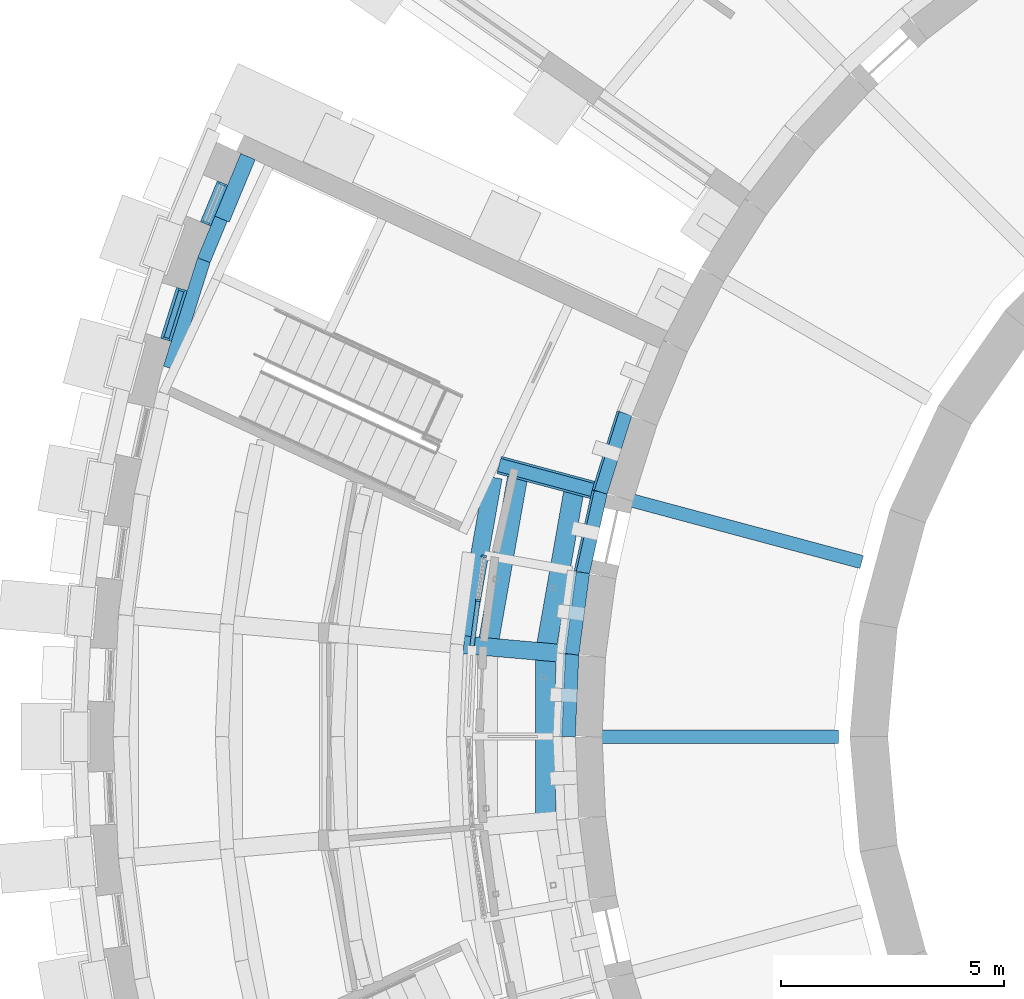
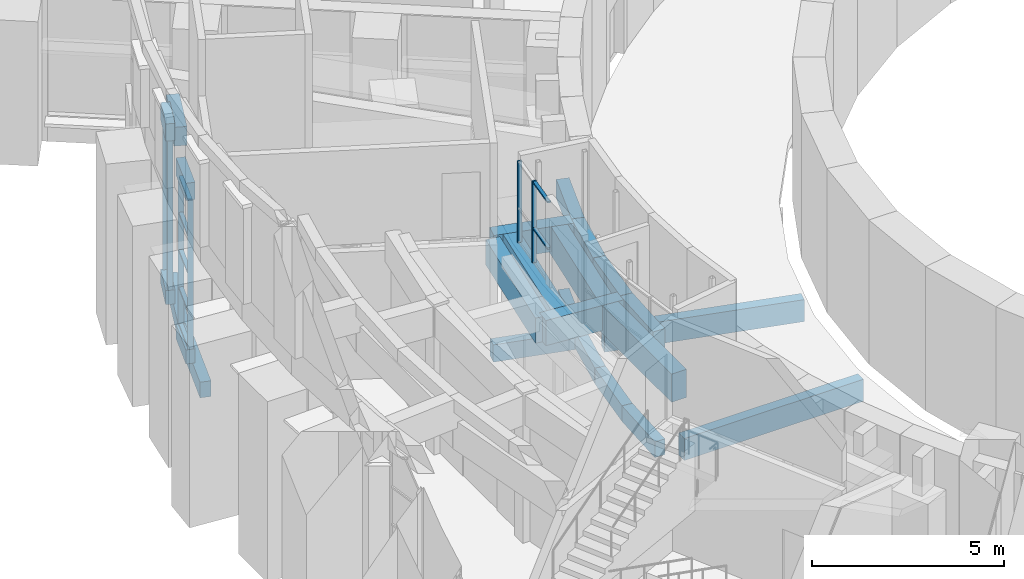
# One storey, part 11 of 66: 24 beams, 13 members, 3 elements without a shape of their own.
"""IFC4 building model written with IfcOpenShell, lengths in metres."""

from ifc_helpers import new_model, si_unit, direction, frame, origin, origin_2d, place, context, subcontext, project, spatial, rectangle, extrude, material, layer, layer_set, material_profile, profile_set, type_object, element, aggregate, save


model = new_model("IFC4")

# Units and contexts
model_context = context("Model", 3, precision=1e-05, world=origin(), true_north=direction((0.0, 1.0)))
body_context = subcontext(model_context, "Body", "Model", "MODEL_VIEW")
ifc_project = project(units=[si_unit("LENGTHUNIT", "METRE"), si_unit("AREAUNIT", "SQUARE_METRE"), si_unit("VOLUMEUNIT", "CUBIC_METRE"), si_unit("PLANEANGLEUNIT", "RADIAN"), si_unit("MASSUNIT", "GRAM", prefix="KILO")], contexts=[model_context])

# Site, building, storey
site_placement = place(None, origin())
site = spatial("IfcSite", under=ifc_project, at=site_placement, CompositionType="ELEMENT")
building_placement = place(site_placement, origin())
building = spatial("IfcBuilding", under=site, at=building_placement, Name="Volute Hill Aquarium", CompositionType="ELEMENT")
storey_placement = place(building_placement, frame((0.0, 0.0, 4.60009765625)))
storey = spatial("IfcBuildingStorey", under=building, at=storey_placement, Name="L02", CompositionType="ELEMENT", Elevation=4.60009765625)

# Beam
ifc_material_1 = material(Name="Concrete C35/45", Category="concrete")
ifc_material_profile_1 = material_profile(ifc_material_1, rectangle(XDim=0.300048828125, YDim=0.550048828125, at=origin_2d()), Name="RC beam 300x550")
ifc_profile_set_1 = profile_set([ifc_material_profile_1], Name="Concrete C35/45")
beam_type_1 = type_object("IfcBeamType", Name="Beam 300x550 C35/45", PredefinedType="BEAM", material=ifc_profile_set_1)
beam_1_placement = place(storey_placement, frame((-20.284423828125, 5.435302734375, -0.4951171875), z_axis=(-0.965945009114, 0.258747443212, 0.0), x_axis=(-0.258747443212, -0.965945009114, 0.0)))
element("IfcBeam", 1, at=beam_1_placement, inside=storey, type_object=beam_type_1, Name="bm/S1/L02/rad1.1", PredefinedType="BEAM", context=body_context, shape_type="SweptSolid", body=[
    extrude(rectangle(XDim=0.300048828125, YDim=0.550048828125, at=origin_2d()), origin(), (0.0, 0.0, 1.0), 2.507080078125),
])

# Curtain wall, members
ifc_material_2 = material(Name="Aluminium", Category="aluminium")
ifc_layer_1 = layer(ifc_material_2, 0.25)
ifc_layer_set_1 = layer_set([ifc_layer_1], Name="Curtain wall niche S1 module 993")
curtain_wall_type_1 = type_object("IfcCurtainWallType", Name="Curtain wall niche S1 module 993", PredefinedType="NOTDEFINED", material=ifc_layer_set_1)
curtain_wall_1_placement = place(storey_placement, origin())
curtain_wall_1 = element("IfcCurtainWall", 2, at=curtain_wall_1_placement, inside=storey, type_object=curtain_wall_type_1, Name="Curtain wall CW S1 L02 1", PredefinedType="NOTDEFINED")
ifc_material_3 = material(Name="Aluminium", Category="aluminium")
ifc_material_profile_2 = material_profile(ifc_material_3, rectangle(XDim=0.14990234375, YDim=0.050048828125, at=origin_2d()), Name="Curtain wall mullion S1 50x150")
ifc_profile_set_2 = profile_set([ifc_material_profile_2], Name="Aluminium")
member_type_1 = type_object("IfcMemberType", Name="Curtain wall mullion S1 50x150", PredefinedType="MULLION", material=ifc_profile_set_2)
member_1_placement = place(storey_placement, frame((-28.9091796875, 12.37646484375, 0.449951171875), z_axis=(0.0, 0.0, 1.0), x_axis=(0.923885219671, -0.382669702059, 0.0)))
member_1 = element("IfcMember", 3, at=member_1_placement, type_object=member_type_1, Name="CW mullion 1", PredefinedType="MULLION", context=body_context, shape_type="SweptSolid", body=[
    extrude(rectangle(XDim=0.14990234375, YDim=0.050048828125, at=origin_2d()), origin(), (0.0, 0.0, 1.0), 4.760009765625),
])
member_2_placement = place(storey_placement, frame((-29.269775390625, 11.50537109375, 0.449951171875), z_axis=(0.0, 0.0, 1.0), x_axis=(0.923885219671, -0.382669702059, 0.0)))
member_2 = element("IfcMember", 4, at=member_2_placement, type_object=member_type_1, Name="CW mullion 2", PredefinedType="MULLION", context=body_context, shape_type="SweptSolid", body=[
    extrude(rectangle(XDim=0.14990234375, YDim=0.050048828125, at=origin_2d()), origin(), (0.0, 0.0, 1.0), 4.760009765625),
])
aggregate(curtain_wall_1, [member_1, member_2])

ifc_material_4 = material(Name="Aluminium", Category="aluminium")
ifc_layer_2 = layer(ifc_material_4, 0.25)
ifc_layer_set_2 = layer_set([ifc_layer_2], Name="Curtain wall niche S1 module 1193")
curtain_wall_type_2 = type_object("IfcCurtainWallType", Name="Curtain wall niche S1 module 1193", PredefinedType="NOTDEFINED", material=ifc_layer_set_2)
curtain_wall_2_placement = place(storey_placement, origin())
curtain_wall_2 = element("IfcCurtainWall", 5, at=curtain_wall_2_placement, inside=storey, type_object=curtain_wall_type_2, Name="Curtain wall CW S1 L02 2", PredefinedType="NOTDEFINED")
member_3_placement = place(storey_placement, frame((-29.817626953125, 10.00048828125, 0.449951171875), z_axis=(0.0, 0.0, 1.0), x_axis=(0.953718126577, -0.300702070227, 0.0)))
member_3 = element("IfcMember", 6, at=member_3_placement, type_object=member_type_1, Name="CW mullion 1", PredefinedType="MULLION", context=body_context, shape_type="SweptSolid", body=[
    extrude(rectangle(XDim=0.14990234375, YDim=0.050048828125, at=origin_2d()), origin(), (0.0, 0.0, 1.0), 4.760009765625),
])
member_4_placement = place(storey_placement, frame((-30.1611328125, 8.910400390625, 0.449951171875), z_axis=(0.0, 0.0, 1.0), x_axis=(0.953718126577, -0.300702070227, 0.0)))
member_4 = element("IfcMember", 7, at=member_4_placement, type_object=member_type_1, Name="CW mullion 2", PredefinedType="MULLION", context=body_context, shape_type="SweptSolid", body=[
    extrude(rectangle(XDim=0.14990234375, YDim=0.050048828125, at=origin_2d()), origin(), (0.0, 0.0, 1.0), 4.760009765625),
])

ifc_material_5 = material(Name="Aluminium", Category="aluminium")
ifc_layer_3 = layer(ifc_material_5, 0.1201171875)
ifc_layer_set_3 = layer_set([ifc_layer_3], Name="Curtain wall S1 pavilion module 1021")
curtain_wall_type_3 = type_object("IfcCurtainWallType", Name="Curtain wall S1 pavilion module 1021", PredefinedType="NOTDEFINED", material=ifc_layer_set_3)
curtain_wall_3_placement = place(storey_placement, origin())
curtain_wall_3 = element("IfcCurtainWall", 8, at=curtain_wall_3_placement, inside=storey, type_object=curtain_wall_type_3, Name="Curtain wall CW S1 pavilion gp0", PredefinedType="NOTDEFINED")
ifc_material_6 = material(Name="Aluminium", Category="aluminium")
ifc_material_profile_3 = material_profile(ifc_material_6, rectangle(XDim=0.1201171875, YDim=0.050048828125, at=origin_2d()), Name="Curtain wall mullion pavilion 50x120")
ifc_profile_set_3 = profile_set([ifc_material_profile_3], Name="Aluminium")
member_type_2 = type_object("IfcMemberType", Name="Curtain wall mullion pavilion 50x120", PredefinedType="MULLION", material=ifc_profile_set_3)
member_5_placement = place(storey_placement, frame((-23.0478515625, 4.03857421875, 4.31982421875), z_axis=(0.0, 0.0, 1.0), x_axis=(0.991442620702, -0.13054321068, 0.0)))
member_5 = element("IfcMember", 9, at=member_5_placement, type_object=member_type_2, Name="Mullion S1 pavilion 1", PredefinedType="MULLION", context=body_context, shape_type="SweptSolid", body=[
    extrude(rectangle(XDim=0.1201171875, YDim=0.050048828125, at=origin_2d()), origin(), (0.0, 0.0, 1.0), 2.60009765625),
])
member_6_placement = place(storey_placement, frame((-23.177734375, 3.051513671875, 4.31982421875), z_axis=(0.0, 0.0, 1.0), x_axis=(0.991442620702, -0.13054321068, 0.0)))
member_6 = element("IfcMember", 10, at=member_6_placement, type_object=member_type_2, Name="Mullion S1 pavilion 2", PredefinedType="MULLION", context=body_context, shape_type="SweptSolid", body=[
    extrude(rectangle(XDim=0.1201171875, YDim=0.050048828125, at=origin_2d()), origin(), (0.0, 0.0, 1.0), 2.60009765625),
])

# Member
ifc_material_7 = material(Name="Aluminium", Category="aluminium")
ifc_material_profile_4 = material_profile(ifc_material_7, rectangle(XDim=0.1201171875, YDim=0.050048828125, at=origin_2d()), Name="Curtain wall transom S1 50x120")
ifc_profile_set_4 = profile_set([ifc_material_profile_4], Name="Aluminium")
member_type_3 = type_object("IfcMemberType", Name="Curtain wall transom S1 50x120", PredefinedType="USERDEFINED", material=ifc_profile_set_4)
member_7_placement = place(storey_placement, frame((-29.824951171875, 9.976806640625, 0.474853515625), z_axis=(-0.300639603165, -0.953737819848, 0.0), x_axis=(0.953737819848, -0.300639603165, 0.0)))
member_7 = element("IfcMember", 11, at=member_7_placement, type_object=member_type_3, Name="CW transom 1.1", ObjectType="TRANSOM", PredefinedType="USERDEFINED", context=body_context, shape_type="SweptSolid", body=[
    extrude(rectangle(XDim=0.1201171875, YDim=0.050048828125, at=origin_2d()), origin(), (0.0, 0.0, 1.0), 1.093017578125),
])

member_8_placement = place(storey_placement, frame((-29.824951171875, 9.976806640625, 1.639892578125), z_axis=(-0.300639603165, -0.953737819848, 0.0), x_axis=(0.953737819848, -0.300639603165, 0.0)))
member_8 = element("IfcMember", 12, at=member_8_placement, type_object=member_type_3, Name="CW transom 1.2", ObjectType="TRANSOM", PredefinedType="USERDEFINED", context=body_context, shape_type="SweptSolid", body=[
    extrude(rectangle(XDim=0.1201171875, YDim=0.050048828125, at=origin_2d()), origin(), (0.0, 0.0, 1.0), 1.093017578125),
])

member_9_placement = place(storey_placement, frame((-29.824951171875, 9.976806640625, 2.829833984375), z_axis=(-0.300639603165, -0.953737819848, 0.0), x_axis=(0.953737819848, -0.300639603165, 0.0)))
member_9 = element("IfcMember", 13, at=member_9_placement, type_object=member_type_3, Name="CW transom 1.3", ObjectType="TRANSOM", PredefinedType="USERDEFINED", context=body_context, shape_type="SweptSolid", body=[
    extrude(rectangle(XDim=0.1201171875, YDim=0.050048828125, at=origin_2d()), origin(), (0.0, 0.0, 1.0), 1.093017578125),
])

member_10_placement = place(storey_placement, frame((-29.824951171875, 9.976806640625, 4.02001953125), z_axis=(-0.300639603165, -0.953737819848, 0.0), x_axis=(0.953737819848, -0.300639603165, 0.0)))
member_10 = element("IfcMember", 14, at=member_10_placement, type_object=member_type_3, Name="CW transom 1.4", ObjectType="TRANSOM", PredefinedType="USERDEFINED", context=body_context, shape_type="SweptSolid", body=[
    extrude(rectangle(XDim=0.1201171875, YDim=0.050048828125, at=origin_2d()), origin(), (0.0, 0.0, 1.0), 1.093017578125),
])

member_11_placement = place(storey_placement, frame((-29.824951171875, 9.976806640625, 5.184814453125), z_axis=(-0.300639603165, -0.953737819848, 0.0), x_axis=(0.953737819848, -0.300639603165, 0.0)))
member_11 = element("IfcMember", 15, at=member_11_placement, type_object=member_type_3, Name="CW transom 1.5", ObjectType="TRANSOM", PredefinedType="USERDEFINED", context=body_context, shape_type="SweptSolid", body=[
    extrude(rectangle(XDim=0.1201171875, YDim=0.050048828125, at=origin_2d()), origin(), (0.0, 0.0, 1.0), 1.093017578125),
])

aggregate(curtain_wall_2, [member_3, member_4, member_7, member_8, member_9, member_10, member_11])

ifc_material_8 = material(Name="Aluminium", Category="aluminium")
ifc_material_profile_5 = material_profile(ifc_material_8, rectangle(XDim=0.10009765625, YDim=0.050048828125, at=origin_2d()), Name="Curtain wall transom pavilion 50x100")
ifc_profile_set_5 = profile_set([ifc_material_profile_5], Name="Aluminium")
member_type_4 = type_object("IfcMemberType", Name="Curtain wall transom pavilion 50x100", PredefinedType="USERDEFINED", material=ifc_profile_set_5)
member_12_placement = place(storey_placement, frame((-23.180908203125, 3.026611328125, 5.419921875), z_axis=(-0.130670129879, -0.991425900992, 0.0), x_axis=(0.991425900992, -0.130670129879, 0.0)))
member_12 = element("IfcMember", 16, at=member_12_placement, type_object=member_type_4, Name="Transom S1 pavilion 2.2", ObjectType="TRANSOM", PredefinedType="USERDEFINED", context=body_context, shape_type="SweptSolid", body=[
    extrude(rectangle(XDim=0.10009765625, YDim=0.050048828125, at=origin_2d()), origin(), (0.0, 0.0, 1.0), 0.995849609375),
])

member_13_placement = place(storey_placement, frame((-23.180908203125, 3.026611328125, 6.89501953125), z_axis=(-0.130670129879, -0.991425900992, 0.0), x_axis=(0.991425900992, -0.130670129879, 0.0)))
member_13 = element("IfcMember", 17, at=member_13_placement, type_object=member_type_4, Name="Head member S1 pavilion 2", ObjectType="TRANSOM", PredefinedType="USERDEFINED", context=body_context, shape_type="SweptSolid", body=[
    extrude(rectangle(XDim=0.10009765625, YDim=0.050048828125, at=origin_2d()), origin(), (0.0, 0.0, 1.0), 0.995849609375),
])

aggregate(curtain_wall_3, [member_5, member_6, member_12, member_13])

# Beams
ifc_material_9 = material(Name="Concrete C35/45", Category="concrete")
ifc_material_profile_6 = material_profile(ifc_material_9, rectangle(XDim=0.300048828125, YDim=0.5, at=origin_2d()), Name="RC edge beam 300x500")
ifc_profile_set_6 = profile_set([ifc_material_profile_6], Name="Concrete C35/45")
beam_type_2 = type_object("IfcBeamType", Name="Edge beam 300x500 C35/45", PredefinedType="BEAM", material=ifc_profile_set_6)
for number, where, z_axis, x_axis, name in (
    (18, (-19.87451171875, 7.23388671875, -0.47021484375), (-0.300745072312, -0.953704567191, 0.0), (0.953704567191, -0.300745072312, 0.0), "bm/S1/L02/edgeD.11"),
    (19, (-20.429443359375, 5.47412109375, -0.47021484375), (-0.216454127071, -0.976292789523, 0.0), (0.976292789523, -0.216454127071, 0.0), "bm/S1/L02/edgeD.12"),
):
    element("IfcBeam", number, at=place(storey_placement, frame(where, z_axis=z_axis, x_axis=x_axis)), inside=storey, type_object=beam_type_2, Name=name, PredefinedType="BEAM", context=body_context, shape_type="SweptSolid", body=[
        extrude(rectangle(XDim=0.300048828125, YDim=0.5, at=origin_2d()), origin(), (0.0, 0.0, 1.0), 1.84521484375),
    ])
beam_2_placement = place(storey_placement, frame((-20.828857421875, 3.672607421875, -0.47021484375), z_axis=(-0.130481898303, -0.991450691772, 0.0), x_axis=(0.991450691772, -0.130481898303, 0.0)))
element("IfcBeam", 20, at=beam_2_placement, inside=storey, type_object=beam_type_2, Name="bm/S1/L02/edgeD.13", PredefinedType="BEAM", context=body_context, shape_type="SweptSolid", body=[
    extrude(rectangle(XDim=0.300048828125, YDim=0.5, at=origin_2d()), origin(), (0.0, 0.0, 1.0), 1.844970703125),
])
beam_3_placement = place(storey_placement, frame((-21.069580078125, 1.843505859375, -0.47021484375), z_axis=(-0.043661145699, -0.999046397499, 0.0), x_axis=(0.999046397499, -0.043661145699, 0.0)))
element("IfcBeam", 21, at=beam_3_placement, inside=storey, type_object=beam_type_2, Name="bm/S1/L02/edgeD.14", PredefinedType="BEAM", context=body_context, shape_type="SweptSolid", body=[
    extrude(rectangle(XDim=0.300048828125, YDim=0.5, at=origin_2d()), origin(), (0.0, 0.0, 1.0), 1.84521484375),
])
beam_4_placement = place(storey_placement, frame((-28.353271484375, 13.000732421875, -0.47021484375), z_axis=(-0.382696651633, -0.9238740568, 0.0), x_axis=(0.9238740568, -0.382696651633, 0.0)))
element("IfcBeam", 22, at=beam_4_placement, inside=storey, type_object=beam_type_2, Name="bm/S1/L02/edgeO.20", PredefinedType="BEAM", context=body_context, shape_type="SweptSolid", body=[
    extrude(rectangle(XDim=0.300048828125, YDim=0.5, at=origin_2d()), origin(), (0.0, 0.0, 1.0), 2.521728515625),
])
beam_5_placement = place(storey_placement, frame((-29.318359375, 10.6708984375, -0.47021484375), z_axis=(-0.300619958579, -0.953744012041, 0.0), x_axis=(0.953744012041, -0.300619958579, 0.0)))
element("IfcBeam", 23, at=beam_5_placement, inside=storey, type_object=beam_type_2, Name="bm/S1/L02/edgeO.21", PredefinedType="BEAM", context=body_context, shape_type="SweptSolid", body=[
    extrude(rectangle(XDim=0.300048828125, YDim=0.5, at=origin_2d()), origin(), (0.0, 0.0, 1.0), 2.536376953125),
])
ifc_material_10 = material(Name="Concrete C35/45", Category="concrete")
ifc_material_profile_7 = material_profile(ifc_material_10, rectangle(XDim=0.35009765625, YDim=0.60009765625, at=origin_2d()), Name="RC edge beam 350x600")
ifc_profile_set_7 = profile_set([ifc_material_profile_7], Name="Concrete C35/45")
beam_type_3 = type_object("IfcBeamType", Name="Edge beam 350x600 C35/45", PredefinedType="BEAM", material=ifc_profile_set_7)
for number, where, z_axis, x_axis, name in (
    (24, (-19.898193359375, 7.2421875, 3.0), (-0.30068222963, -0.953724381981, 0.0), (0.953724381981, -0.30068222963, 0.0), "rb/S1/L02/edgeD.48"),
    (25, (-20.45361328125, 5.48046875, 3.0), (-0.216482636393, -0.976286468277, 0.0), (0.976286468277, -0.216482636393, 0.0), "rb/S1/L02/edgeD.49"),
):
    element("IfcBeam", number, at=place(storey_placement, frame(where, z_axis=z_axis, x_axis=x_axis)), inside=storey, type_object=beam_type_3, Name=name, PredefinedType="BEAM", context=body_context, shape_type="SweptSolid", body=[
        extrude(rectangle(XDim=0.35009765625, YDim=0.60009765625, at=origin_2d()), origin(), (0.0, 0.0, 1.0), 1.84716796875),
    ])
beam_6_placement = place(storey_placement, frame((-20.853515625, 3.677001953125, 3.0), z_axis=(-0.130440837846, -0.991456094753, 0.0), x_axis=(0.991456094753, -0.130440837846, 0.0)))
element("IfcBeam", 26, at=beam_6_placement, inside=storey, type_object=beam_type_3, Name="rb/S1/L02/edgeD.50", PredefinedType="BEAM", context=body_context, shape_type="SweptSolid", body=[
    extrude(rectangle(XDim=0.35009765625, YDim=0.60009765625, at=origin_2d()), origin(), (0.0, 0.0, 1.0), 1.847412109375),
])
beam_7_placement = place(storey_placement, frame((-21.094482421875, 1.845458984375, 3.0), z_axis=(-0.043746939448, -0.99904264438, 0.0), x_axis=(0.99904264438, -0.043746939448, 0.0)))
element("IfcBeam", 27, at=beam_7_placement, inside=storey, type_object=beam_type_3, Name="rb/S1/L02/edgeD.51", PredefinedType="BEAM", context=body_context, shape_type="SweptSolid", body=[
    extrude(rectangle(XDim=0.35009765625, YDim=0.60009765625, at=origin_2d()), origin(), (0.0, 0.0, 1.0), 1.84716796875),
])
beam_8_placement = place(storey_placement, frame((-28.33056640625, 12.989990234375, 5.159912109375), z_axis=(-0.38283065883, -0.923818535569, 0.0), x_axis=(0.923818535569, -0.38283065883, 0.0)))
element("IfcBeam", 28, at=beam_8_placement, inside=storey, type_object=beam_type_3, Name="rb/S1/L02/edgeO.57", PredefinedType="BEAM", context=body_context, shape_type="SweptSolid", body=[
    extrude(rectangle(XDim=0.35009765625, YDim=0.60009765625, at=origin_2d()), origin(), (0.0, 0.0, 1.0), 1.515869140625),
])
ifc_material_11 = material(Name="Concrete C35/45", Category="concrete")
ifc_material_profile_8 = material_profile(ifc_material_11, rectangle(XDim=0.300048828125, YDim=0.699951171875, at=origin_2d()), Name="RC beam 300x700")
ifc_profile_set_8 = profile_set([ifc_material_profile_8], Name="Concrete C35/45")
beam_type_4 = type_object("IfcBeamType", Name="Gallery beam RC 300x700", PredefinedType="BEAM", material=ifc_profile_set_8)
beam_9_placement = place(storey_placement, frame((-14.58544921875, 3.908203125, -0.650146484375), z_axis=(-0.965922825334, 0.258830244561, 0.0), x_axis=(-0.258830244561, -0.965922825334, 0.0)))
element("IfcBeam", 29, at=beam_9_placement, inside=storey, type_object=beam_type_4, Name="bm/DR/L02/11", PredefinedType="BEAM", context=body_context, shape_type="SweptSolid", body=[
    extrude(rectangle(XDim=0.300048828125, YDim=0.699951171875, at=origin_2d()), origin(), (0.0, 0.0, 1.0), 5.400146484375),
])
beam_10_placement = place(storey_placement, frame((-15.10009765625, 0.0, -0.650146484375), z_axis=(-1.0, 0.0, 0.0), x_axis=(0.0, -1.0, 0.0)))
element("IfcBeam", 30, at=beam_10_placement, inside=storey, type_object=beam_type_4, Name="bm/DR/L02/12", PredefinedType="BEAM", context=body_context, shape_type="SweptSolid", body=[
    extrude(rectangle(XDim=0.300048828125, YDim=0.699951171875, at=origin_2d()), origin(), (0.0, 0.0, 1.0), 5.39990234375),
])
ifc_material_12 = material(Name="Concrete C35/45", Category="concrete")
ifc_material_profile_9 = material_profile(ifc_material_12, rectangle(XDim=0.25, YDim=0.550048828125, at=origin_2d()), Name="RC beam 250x550")
ifc_profile_set_9 = profile_set([ifc_material_profile_9], Name="Concrete C35/45")
beam_type_5 = type_object("IfcBeamType", Name="Niche head beam RC 250x550 C35/45", PredefinedType="BEAM", material=ifc_profile_set_9)
beam_11_placement = place(storey_placement, frame((-28.8994140625, 12.3994140625, 5.48486328125), z_axis=(-0.382728331332, -0.923860933472, 0.0), x_axis=(0.923860933472, -0.382728331332, 0.0)))
element("IfcBeam", 31, at=beam_11_placement, inside=storey, type_object=beam_type_5, Name="Niche head beam OWB S1 L02 1", PredefinedType="BEAM", context=body_context, shape_type="SweptSolid", body=[
    extrude(rectangle(XDim=0.25, YDim=0.550048828125, at=origin_2d()), origin(), (0.0, 0.0, 1.0), 0.99267578125),
])
beam_12_placement = place(storey_placement, frame((-29.81005859375, 10.0244140625, 5.48486328125), z_axis=(-0.300651374737, -0.953734109104, 0.0), x_axis=(0.953734109104, -0.300651374737, 0.0)))
element("IfcBeam", 32, at=beam_12_placement, inside=storey, type_object=beam_type_5, Name="Niche head beam OWB S1 L02 2", PredefinedType="BEAM", context=body_context, shape_type="SweptSolid", body=[
    extrude(rectangle(XDim=0.25, YDim=0.550048828125, at=origin_2d()), origin(), (0.0, 0.0, 1.0), 1.19287109375),
])
ifc_material_13 = material(Name="Concrete C35/45", Category="concrete")
ifc_material_profile_10 = material_profile(ifc_material_13, rectangle(XDim=0.25, YDim=0.449951171875, at=origin_2d()), Name="RC beam 250x450")
ifc_profile_set_10 = profile_set([ifc_material_profile_10], Name="Concrete C35/45")
beam_type_6 = type_object("IfcBeamType", Name="Niche sill beam RC 250x450 C35/45", PredefinedType="BEAM", material=ifc_profile_set_10)
beam_13_placement = place(storey_placement, frame((-28.8994140625, 12.3994140625, 0.224853515625), z_axis=(-0.382728331332, -0.923860933472, 0.0), x_axis=(0.923860933472, -0.382728331332, 0.0)))
element("IfcBeam", 33, at=beam_13_placement, inside=storey, type_object=beam_type_6, Name="Niche sill beam OWB S1 L02 1", PredefinedType="BEAM", context=body_context, shape_type="SweptSolid", body=[
    extrude(rectangle(XDim=0.25, YDim=0.449951171875, at=origin_2d()), origin(), (0.0, 0.0, 1.0), 0.99267578125),
])
beam_14_placement = place(storey_placement, frame((-29.81005859375, 10.0244140625, 0.224853515625), z_axis=(-0.300651374737, -0.953734109104, 0.0), x_axis=(0.953734109104, -0.300651374737, 0.0)))
element("IfcBeam", 34, at=beam_14_placement, inside=storey, type_object=beam_type_6, Name="Niche sill beam OWB S1 L02 2", PredefinedType="BEAM", context=body_context, shape_type="SweptSolid", body=[
    extrude(rectangle(XDim=0.25, YDim=0.449951171875, at=origin_2d()), origin(), (0.0, 0.0, 1.0), 1.19287109375),
])
ifc_material_14 = material(Name="Concrete C35/45", Category="concrete")
ifc_material_profile_11 = material_profile(ifc_material_14, rectangle(XDim=0.39990234375, YDim=0.800048828125, at=origin_2d()), Name="RC beam 400x800")
ifc_profile_set_11 = profile_set([ifc_material_profile_11], Name="Concrete C35/45")
beam_type_7 = type_object("IfcBeamType", Name="Terrace beam 400x800 C35/45", PredefinedType="BEAM", material=ifc_profile_set_11)
beam_15_placement = place(storey_placement, frame((-20.284423828125, 5.435302734375, 2.89990234375), z_axis=(-0.965945009114, 0.258747443212, 0.0), x_axis=(-0.258747443212, -0.965945009114, 0.0)))
element("IfcBeam", 35, at=beam_15_placement, inside=storey, type_object=beam_type_7, Name="rb/S1/L02/rad1.17", PredefinedType="BEAM", context=body_context, shape_type="SweptSolid", body=[
    extrude(rectangle(XDim=0.39990234375, YDim=0.800048828125, at=origin_2d()), origin(), (0.0, 0.0, 1.0), 2.507080078125),
])
beam_16_placement = place(storey_placement, frame((-20.920166015625, 1.830322265625, 2.89990234375), z_axis=(-0.996192283539, 0.087183336805, 0.0), x_axis=(-0.087183336805, -0.996192283539, 0.0)))
element("IfcBeam", 36, at=beam_16_placement, inside=storey, type_object=beam_type_7, Name="rb/S1/L02/rad2.18", PredefinedType="BEAM", context=body_context, shape_type="SweptSolid", body=[
    extrude(rectangle(XDim=0.39990234375, YDim=0.800048828125, at=origin_2d()), origin(), (0.0, 0.0, 1.0), 2.58740234375),
])
beam_17_placement = place(storey_placement, frame((-22.8369140625, 5.8037109375, 2.89990234375), z_axis=(-0.173660902444, -0.984805509206, 0.0), x_axis=(0.984805509206, -0.173660902444, 0.0)))
element("IfcBeam", 37, at=beam_17_placement, inside=storey, type_object=beam_type_7, Name="rb/S1/L02/ring29", PredefinedType="BEAM", context=body_context, shape_type="SweptSolid", body=[
    extrude(rectangle(XDim=0.39990234375, YDim=0.800048828125, at=origin_2d()), origin(), (0.0, 0.0, 1.0), 3.8056640625),
])
ifc_material_15 = material(Name="Concrete C35/45", Category="concrete")
ifc_material_profile_12 = material_profile(ifc_material_15, rectangle(XDim=0.449951171875, YDim=0.89990234375, at=origin_2d()), Name="RC transfer beam 450x900")
ifc_profile_set_12 = profile_set([ifc_material_profile_12], Name="Concrete C35/45")
beam_type_8 = type_object("IfcBeamType", Name="Transfer beam 450x900 C35/45", PredefinedType="BEAM", material=ifc_profile_set_12)
beam_18_placement = place(storey_placement, frame((-21.0087890625, 5.62939453125, 2.849853515625), z_axis=(-0.173664112187, -0.984804943193, 0.0), x_axis=(0.984804943193, -0.173664112187, 0.0)))
element("IfcBeam", 38, at=beam_18_placement, inside=storey, type_object=beam_type_8, Name="rb/S1/L02/pav41", PredefinedType="BEAM", context=body_context, shape_type="SweptSolid", body=[
    extrude(rectangle(XDim=0.449951171875, YDim=0.89990234375, at=origin_2d()), origin(), (0.0, 0.0, 1.0), 3.79150390625),
])
beam_19_placement = place(storey_placement, frame((-21.667236328125, 1.8955078125, 2.849853515625), z_axis=(0.0, -1.0, 0.0), x_axis=(1.0, 0.0, 0.0)))
element("IfcBeam", 39, at=beam_19_placement, inside=storey, type_object=beam_type_8, Name="rb/S1/L02/pav42", PredefinedType="BEAM", context=body_context, shape_type="SweptSolid", body=[
    extrude(rectangle(XDim=0.449951171875, YDim=0.89990234375, at=origin_2d()), origin(), (0.0, 0.0, 1.0), 3.791015625),
])
beam_20_placement = place(storey_placement, frame((-22.2646484375, 5.9658203125, 2.849853515625), z_axis=(-0.173653616558, -0.984806793973, 0.0), x_axis=(0.984806793973, -0.173653616558, 0.0)))
element("IfcBeam", 40, at=beam_20_placement, inside=storey, type_object=beam_type_8, Name="rb/S1/L02/pav44", PredefinedType="BEAM", context=body_context, shape_type="SweptSolid", body=[
    extrude(rectangle(XDim=0.449951171875, YDim=0.89990234375, at=origin_2d()), origin(), (0.0, 0.0, 1.0), 4.01806640625),
])

save(model, "model.ifc")
